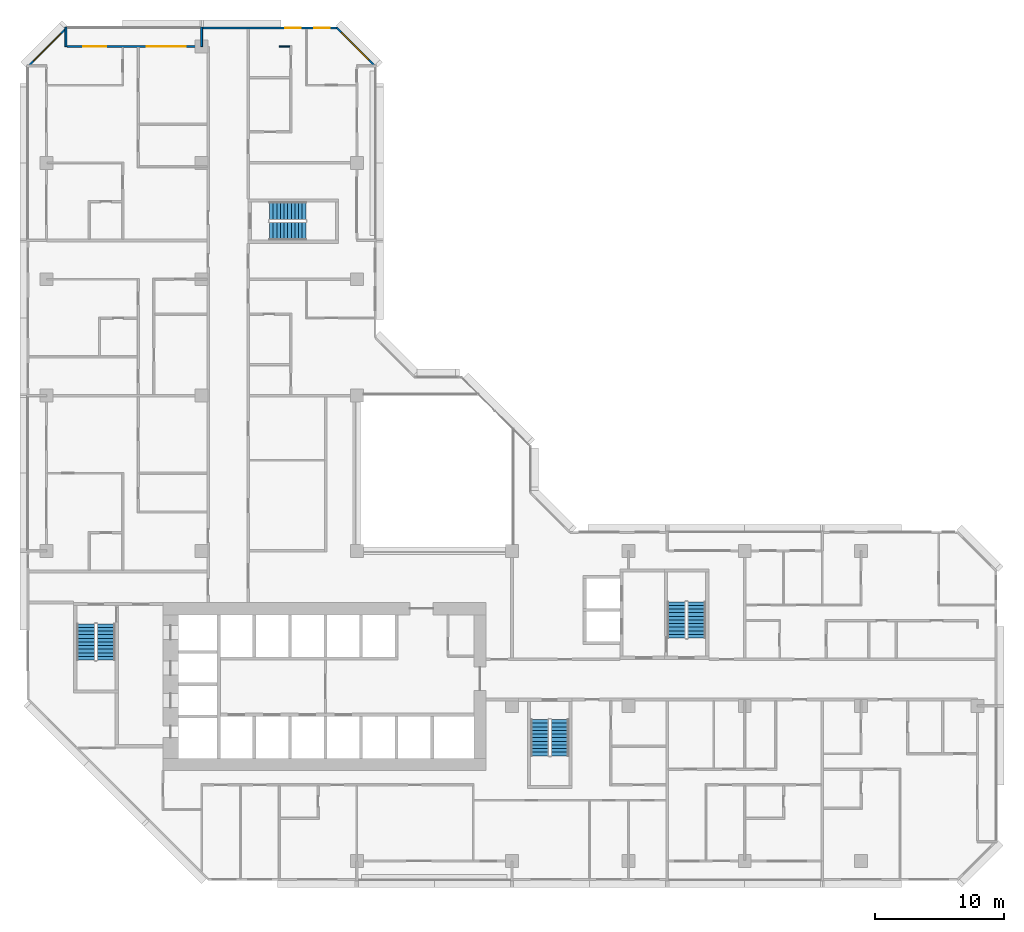
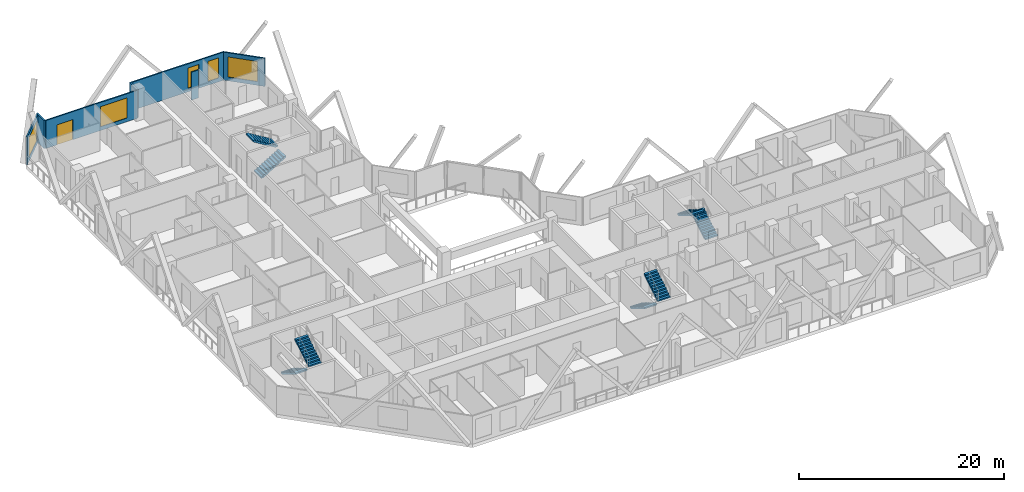
# One storey, part 13 of 15: 8 stair flights, 7 walls, 5 windows, 1 door, 6 openings, 4 elements without a shape of their own.
"""IFC4 building model written with IfcOpenShell, lengths in metres."""

from ifc_helpers import new_model, si_unit, direction, frame, frame_2d, origin, place, context, subcontext, project, spatial, polyline, rectangle, outline, extrude, material, layer, layer_set, type_object, element, fill, aggregate, save


model = new_model("IFC4")

# Units and contexts
model_context = context("Model", 3, precision=1e-05, world=origin(), true_north=direction((0.0, 1.0)))
body_context = subcontext(model_context, "Body", "Model", "MODEL_VIEW")
ifc_project = project(units=[si_unit("LENGTHUNIT", "METRE"), si_unit("AREAUNIT", "SQUARE_METRE"), si_unit("VOLUMEUNIT", "CUBIC_METRE"), si_unit("PLANEANGLEUNIT", "RADIAN"), si_unit("MASSUNIT", "GRAM", prefix="KILO")], contexts=[model_context])

# Site, building, storey
site_placement = place(None, origin())
site = spatial("IfcSite", under=ifc_project, at=site_placement, CompositionType="ELEMENT")
building_placement = place(site_placement, origin())
building = spatial("IfcBuilding", under=site, at=building_placement, Name="Chenar Terraces", CompositionType="ELEMENT")
storey_placement = place(building_placement, frame((0.0, 0.0, 106.89990234375)))
storey = spatial("IfcBuildingStorey", under=building, at=storey_placement, Name="L24", CompositionType="ELEMENT", Elevation=106.89990234375)

# Wall, openings, windows
ifc_material_1 = material(Name="Aluminium framed glazing", Category="aluminium")
ifc_layer_1 = layer(ifc_material_1, 0.14990234375)
ifc_layer_set_1 = layer_set([ifc_layer_1], Name="Aluminium framed glazing")
wall_type_1 = type_object("IfcWallType", Name="Glazed flush facade wall 150", PredefinedType="SOLIDWALL", material=ifc_layer_set_1)
wall_1_placement = place(storey_placement, frame((22.5, 64.425048828125, 0.0), z_axis=(0.0, 0.0, 1.0), x_axis=(-1.0, 0.0, 0.0)))
wall_1 = element("IfcWall", 1, at=wall_1_placement, inside=storey, type_object=wall_type_1, Name="Glazed flush facade wall", PredefinedType="SOLIDWALL", context=body_context, shape_type="SweptSolid", body=[
    extrude(rectangle(XDim=10.425048828125, YDim=0.14990234375, at=frame_2d((5.21240234375, 0.0))), origin(), (0.0, 0.0, 1.0), 3.35009765625),
])
opening_1_placement = place(wall_1_placement, frame((0.60009765625, 0.0, 0.449951171875)))
opening_1 = element("IfcOpeningElement", 2, at=opening_1_placement, cuts=wall_1, Name="Opening W120x240", PredefinedType="OPENING", context=body_context, shape_type="SweptSolid", body=[
    extrude(rectangle(XDim=1.199951171875, YDim=2.39990234375, at=frame_2d((0.60009765625, 1.199951171875))), frame((0.0, 0.0849609375, 0.0), z_axis=(0.0, -1.0, 0.0), x_axis=(1.0, 0.0, 0.0)), (0.0, 0.0, 1.0), 0.169921875),
])
opening_2_placement = place(wall_1_placement, frame((2.85009765625, 0.0, 0.449951171875)))
opening_2 = element("IfcOpeningElement", 3, at=opening_2_placement, cuts=wall_1, Name="Opening W120x240", PredefinedType="OPENING", context=body_context, shape_type="SweptSolid", body=[
    extrude(rectangle(XDim=1.199951171875, YDim=2.39990234375, at=frame_2d((0.60009765625, 1.199951171875))), frame((0.0, 0.0849609375, 0.0), z_axis=(0.0, -1.0, 0.0), x_axis=(1.0, 0.0, 0.0)), (0.0, 0.0, 1.0), 0.169921875),
])
ifc_material_2 = material(Name="Low emissivity double glazing, aluminium frame", Category="aluminium")
window_type_1 = type_object("IfcWindowType", Name="Fixed light 1200 x 2400", PartitioningType="SINGLE_PANEL", PredefinedType="WINDOW", material=ifc_material_2)
window_1_placement = place(opening_1_placement, origin())
window_1 = element("IfcWindow", 4, at=window_1_placement, inside=storey, type_object=window_type_1, Name="Window", OverallHeight=2.39990234375, OverallWidth=1.199951171875, PartitioningType="SINGLE_PANEL", PredefinedType="WINDOW", context=body_context, shape_type="SweptSolid", body=[
    extrude(rectangle(XDim=1.199951171875, YDim=2.39990234375, at=frame_2d((0.60009765625, 1.199951171875))), frame((0.0, 0.030029296875, 0.0), z_axis=(0.0, -1.0, 0.0), x_axis=(1.0, 0.0, 0.0)), (0.0, 0.0, 1.0), 0.06005859375),
])
fill(opening_1, window_1)
window_2_placement = place(opening_2_placement, origin())
window_2 = element("IfcWindow", 5, at=window_2_placement, inside=storey, type_object=window_type_1, Name="Window", OverallHeight=2.39990234375, OverallWidth=1.199951171875, PartitioningType="SINGLE_PANEL", PredefinedType="WINDOW", context=body_context, shape_type="SweptSolid", body=[
    extrude(rectangle(XDim=1.199951171875, YDim=2.39990234375, at=frame_2d((0.60009765625, 1.199951171875))), frame((0.0, 0.030029296875, 0.0), z_axis=(0.0, -1.0, 0.0), x_axis=(1.0, 0.0, 0.0)), (0.0, 0.0, 1.0), 0.06005859375),
])
fill(opening_2, window_2)

# Wall, openings, window, door
ifc_material_3 = material(Name="Aluminium framed glazing", Category="aluminium")
ifc_layer_2 = layer(ifc_material_3, 0.14990234375)
ifc_layer_set_2 = layer_set([ifc_layer_2], Name="Aluminium framed glazing")
wall_type_2 = type_object("IfcWallType", Name="Glazed loggia back wall 150", PredefinedType="SOLIDWALL", material=ifc_layer_set_2)
wall_2_placement = place(storey_placement, frame((11.925048828125, 63.0, 0.0), z_axis=(0.0, 0.0, 1.0), x_axis=(-1.0, 0.0, 0.0)))
wall_2 = element("IfcWall", 6, at=wall_2_placement, inside=storey, type_object=wall_type_2, Name="Glazed loggia back wall", PredefinedType="SOLIDWALL", context=body_context, shape_type="SweptSolid", body=[
    extrude(rectangle(XDim=10.35009765625, YDim=0.14990234375, at=frame_2d((5.175048828125, 0.0))), origin(), (0.0, 0.0, 1.0), 3.35009765625),
])
opening_3_placement = place(wall_2_placement, frame((1.175048828125, 0.0, 0.449951171875)))
opening_3 = element("IfcOpeningElement", 7, at=opening_3_placement, cuts=wall_2, Name="Opening W300x240", PredefinedType="OPENING", context=body_context, shape_type="SweptSolid", body=[
    extrude(rectangle(XDim=3.0, YDim=2.39990234375, at=frame_2d((1.5, 1.199951171875))), frame((0.0, 0.0849609375, 0.0), z_axis=(0.0, -1.0, 0.0), x_axis=(1.0, 0.0, 0.0)), (0.0, 0.0, 1.0), 0.169921875),
])
opening_4_placement = place(wall_2_placement, frame((7.28759765625, 0.0, 0.0)))
opening_4 = element("IfcOpeningElement", 8, at=opening_4_placement, cuts=wall_2, Name="Opening DL24-G3", PredefinedType="OPENING", context=body_context, shape_type="SweptSolid", body=[
    extrude(rectangle(XDim=1.800048828125, YDim=2.39990234375, at=frame_2d((0.89990234375, 1.199951171875))), frame((0.0, 0.0849609375, 0.0), z_axis=(0.0, -1.0, 0.0), x_axis=(1.0, 0.0, 0.0)), (0.0, 0.0, 1.0), 0.169921875),
])
ifc_material_4 = material(Name="Low emissivity double glazing, aluminium frame", Category="aluminium")
window_type_2 = type_object("IfcWindowType", Name="Fixed light 3000 x 2400", PartitioningType="SINGLE_PANEL", PredefinedType="WINDOW", material=ifc_material_4)
window_3_placement = place(opening_3_placement, origin())
window_3 = element("IfcWindow", 9, at=window_3_placement, inside=storey, type_object=window_type_2, Name="Window", OverallHeight=2.39990234375, OverallWidth=3.0, PartitioningType="SINGLE_PANEL", PredefinedType="WINDOW", context=body_context, shape_type="SweptSolid", body=[
    extrude(rectangle(XDim=3.0, YDim=2.39990234375, at=frame_2d((1.5, 1.199951171875))), frame((0.0, 0.030029296875, 0.0), z_axis=(0.0, -1.0, 0.0), x_axis=(1.0, 0.0, 0.0)), (0.0, 0.0, 1.0), 0.06005859375),
])
fill(opening_3, window_3)
ifc_material_5 = material(Name="Low emissivity double glazing, aluminium frame", Category="aluminium")
door_type = type_object("IfcDoorType", Name="Loggia glazed double door 1800 x 2400", OperationType="DOUBLE_DOOR_SINGLE_SWING", PredefinedType="DOOR", material=ifc_material_5)
door_placement = place(opening_4_placement, frame((1.800048828125, 0.0, 0.0), z_axis=(0.0, 0.0, 1.0), x_axis=(-1.0, 0.0, 0.0)))
door = element("IfcDoor", 10, at=door_placement, inside=storey, type_object=door_type, Name="Loggia glazed door", OperationType="DOUBLE_DOOR_SINGLE_SWING", OverallHeight=2.39990234375, OverallWidth=1.800048828125, PredefinedType="DOOR", context=body_context, shape_type="SweptSolid", body=[
    extrude(rectangle(XDim=1.800048828125, YDim=2.39990234375, at=frame_2d((0.89990234375, 1.199951171875))), frame((0.0, 0.02490234375, 0.0), z_axis=(0.0, -1.0, 0.0), x_axis=(1.0, 0.0, 0.0)), (0.0, 0.0, 1.0), 0.050048828125),
])
fill(opening_4, door)

# Walls
ifc_material_6 = material(Name="Gypsum board on steel studs", Category="steel")
ifc_layer_3 = layer(ifc_material_6, 0.10009765625)
ifc_layer_set_3 = layer_set([ifc_layer_3], Name="Gypsum board on steel studs")
wall_type_3 = type_object("IfcWallType", Name="Gypsum partition 100", PredefinedType="PARTITIONING", material=ifc_layer_set_3)
wall_3_placement = place(storey_placement, frame((18.0, 63.0, 0.0), z_axis=(0.0, 0.0, 1.0), x_axis=(1.0, 0.0, 0.0)))
element("IfcWall", 11, at=wall_3_placement, inside=storey, type_object=wall_type_3, Name="Partition L24-048", PredefinedType="PARTITIONING", context=body_context, shape_type="SweptSolid", body=[
    extrude(rectangle(XDim=0.824951171875, YDim=0.10009765625, at=frame_2d((0.41259765625, 0.0))), origin(), (0.0, 0.0, 1.0), 3.35009765625),
])
ifc_material_7 = material(Name="Terracotta cladding on insulated backing", Category="masonry")
ifc_layer_4 = layer(ifc_material_7, 0.14990234375)
ifc_layer_set_4 = layer_set([ifc_layer_4], Name="Terracotta cladding on insulated backing")
wall_type_4 = type_object("IfcWallType", Name="Loggia return wall 150", PredefinedType="SOLIDWALL", material=ifc_layer_set_4)
for number, where, z_axis, x_axis, name in (
    (12, (12.0, 64.5, 0.0), (0.0, 0.0, 1.0), (0.0, -1.0, 0.0), "Loggia return wall"),
    (13, (1.5, 64.5, 0.0), (0.0, 0.0, 1.0), (0.0, -1.0, 0.0), "Loggia return wall"),
):
    element("IfcWall", number, at=place(storey_placement, frame(where, z_axis=z_axis, x_axis=x_axis)), inside=storey, type_object=wall_type_4, Name=name, PredefinedType="SOLIDWALL", context=body_context, shape_type="SweptSolid", body=[
        extrude(rectangle(XDim=1.5, YDim=0.14990234375, at=frame_2d((0.75, 0.0))), origin(), (0.0, 0.0, 1.0), 3.35009765625),
    ])

# Wall, opening, window
ifc_material_8 = material(Name="Terracotta cladding on insulated backing", Category="masonry")
ifc_layer_5 = layer(ifc_material_8, 0.14990234375)
ifc_layer_set_5 = layer_set([ifc_layer_5], Name="Terracotta cladding on insulated backing")
wall_type_5 = type_object("IfcWallType", Name="Terracotta rainscreen wall 150", PredefinedType="SOLIDWALL", material=ifc_layer_set_5)
wall_4_placement = place(storey_placement, frame((25.447021484375, 61.447021484375, 0.0), z_axis=(0.0, 0.0, 1.0), x_axis=(-0.707106781187, 0.707106781187, 0.0)))
wall_4 = element("IfcWall", 14, at=wall_4_placement, inside=storey, type_object=wall_type_5, Name="Terracotta rainscreen wall", PredefinedType="SOLIDWALL", context=body_context, shape_type="SweptSolid", body=[
    extrude(rectangle(XDim=4.24267578125, YDim=0.14990234375, at=frame_2d((2.121337890625, 0.0))), origin(), (0.0, 0.0, 1.0), 3.35009765625),
])
opening_5_placement = place(wall_4_placement, frame((0.744384765625, 0.0, 0.449951171875)))
opening_5 = element("IfcOpeningElement", 15, at=opening_5_placement, cuts=wall_4, Name="Opening W300x240", PredefinedType="OPENING", context=body_context, shape_type="SweptSolid", body=[
    extrude(rectangle(XDim=3.0, YDim=2.39990234375, at=frame_2d((1.5, 1.199951171875))), frame((0.0, 0.0849609375, 0.0), z_axis=(0.0, -1.0, 0.0), x_axis=(1.0, 0.0, 0.0)), (0.0, 0.0, 1.0), 0.169921875),
])
window_4_placement = place(opening_5_placement, origin())
window_4 = element("IfcWindow", 16, at=window_4_placement, inside=storey, type_object=window_type_2, Name="Window", OverallHeight=2.39990234375, OverallWidth=3.0, PartitioningType="SINGLE_PANEL", PredefinedType="WINDOW", context=body_context, shape_type="SweptSolid", body=[
    extrude(rectangle(XDim=3.0, YDim=2.39990234375, at=frame_2d((1.5, 1.199951171875))), frame((0.0, 0.030029296875, 0.0), z_axis=(0.0, -1.0, 0.0), x_axis=(1.0, 0.0, 0.0)), (0.0, 0.0, 1.0), 0.06005859375),
])
fill(opening_5, window_4)

wall_5_placement = place(storey_placement, frame((1.552978515625, 64.447021484375, 0.0), z_axis=(0.0, 0.0, 1.0), x_axis=(-0.707106781187, -0.707106781187, 0.0)))
wall_5 = element("IfcWall", 17, at=wall_5_placement, inside=storey, type_object=wall_type_5, Name="Terracotta rainscreen wall", PredefinedType="SOLIDWALL", context=body_context, shape_type="SweptSolid", body=[
    extrude(rectangle(XDim=4.24267578125, YDim=0.14990234375, at=frame_2d((2.121337890625, 0.0))), origin(), (0.0, 0.0, 1.0), 3.35009765625),
])
opening_6_placement = place(wall_5_placement, frame((0.621337890625, 0.0, 0.449951171875)))
opening_6 = element("IfcOpeningElement", 18, at=opening_6_placement, cuts=wall_5, Name="Opening W300x240", PredefinedType="OPENING", context=body_context, shape_type="SweptSolid", body=[
    extrude(rectangle(XDim=3.0, YDim=2.39990234375, at=frame_2d((1.5, 1.199951171875))), frame((0.0, 0.0849609375, 0.0), z_axis=(0.0, -1.0, 0.0), x_axis=(1.0, 0.0, 0.0)), (0.0, 0.0, 1.0), 0.169921875),
])
window_5_placement = place(opening_6_placement, origin())
window_5 = element("IfcWindow", 19, at=window_5_placement, inside=storey, type_object=window_type_2, Name="Window", OverallHeight=2.39990234375, OverallWidth=3.0, PartitioningType="SINGLE_PANEL", PredefinedType="WINDOW", context=body_context, shape_type="SweptSolid", body=[
    extrude(rectangle(XDim=3.0, YDim=2.39990234375, at=frame_2d((1.5, 1.199951171875))), frame((0.0, 0.030029296875, 0.0), z_axis=(0.0, -1.0, 0.0), x_axis=(1.0, 0.0, 0.0)), (0.0, 0.0, 1.0), 0.06005859375),
])
fill(opening_6, window_5)

# Stair, stair flights
ifc_material_9 = material(Name="Reinforced concrete C40/50", Category="concrete")
stair_type = type_object("IfcStairType", Name="Core stair 1400 half-turn", PredefinedType="HALF_TURN_STAIR", material=ifc_material_9)
placement = place(storey_placement, origin())
stair_1 = element("IfcStair", 20, at=placement, inside=storey, type_object=stair_type, Name="L24 Stair 1", PredefinedType="HALF_TURN_STAIR")
ifc_material_10 = material(Name="Reinforced concrete C40/50", Category="concrete")
stair_flight_type = type_object("IfcStairFlightType", Name="Core stair flight 1400", PredefinedType="STRAIGHT", material=ifc_material_10)
stair_flight_1_placement = place(storey_placement, frame((3.050048828125, 18.35009765625, 0.0), z_axis=(0.0, 0.0, 1.0), x_axis=(0.0, -1.0, 0.0)))
stair_flight_1 = element("IfcStairFlight", 21, at=stair_flight_1_placement, type_object=stair_flight_type, Name="ST1 flight 1", NumberOfRisers=11, NumberOfTreads=10, PredefinedType="STRAIGHT", RiserHeight=0.170454545, TreadLength=0.28, context=body_context, shape_type="SweptSolid", body=[
    extrude(outline(polyline([(-0.0029296875, 0.0), (-0.0029296875, 0.17041015625), (0.0, 0.17041015625), (0.280029296875, 0.17041015625), (0.280029296875, 0.3408203125), (0.56005859375, 0.3408203125), (0.56005859375, 0.511474609375), (0.840087890625, 0.511474609375), (0.840087890625, 0.681884765625), (1.1201171875, 0.681884765625), (1.1201171875, 0.852294921875), (1.39990234375, 0.852294921875), (1.39990234375, 1.022705078125), (1.679931640625, 1.022705078125), (1.679931640625, 1.193115234375), (1.9599609375, 1.193115234375), (1.9599609375, 1.363525390625), (2.239990234375, 1.363525390625), (2.239990234375, 1.5341796875), (2.52001953125, 1.5341796875), (2.52001953125, 1.70458984375), (2.800048828125, 1.70458984375), (2.802978515625, 1.70458984375), (2.802978515625, 1.529052734375), (2.800048828125, 1.529052734375), (0.288330078125, 0.0), (-0.0029296875, 0.0)])), frame((0.0, 0.699951171875, 0.0), z_axis=(0.0, -1.0, 0.0), x_axis=(1.0, 0.0, 0.0)), (0.0, 0.0, 1.0), 1.39990234375),
])
stair_flight_2_placement = place(storey_placement, frame((4.60009765625, 15.550048828125, 1.875), z_axis=(0.0, 0.0, 1.0), x_axis=(0.0, 1.0, 0.0)))
stair_flight_2 = element("IfcStairFlight", 22, at=stair_flight_2_placement, type_object=stair_flight_type, Name="ST1 flight 2", NumberOfRisers=11, NumberOfTreads=10, PredefinedType="STRAIGHT", RiserHeight=0.170454545, TreadLength=0.28, context=body_context, shape_type="SweptSolid", body=[
    extrude(outline(polyline([(-0.0029296875, 0.0), (-0.0029296875, 0.17041015625), (0.0, 0.17041015625), (0.280029296875, 0.17041015625), (0.280029296875, 0.3408203125), (0.56005859375, 0.3408203125), (0.56005859375, 0.511474609375), (0.840087890625, 0.511474609375), (0.840087890625, 0.681884765625), (1.1201171875, 0.681884765625), (1.1201171875, 0.852294921875), (1.39990234375, 0.852294921875), (1.39990234375, 1.022705078125), (1.679931640625, 1.022705078125), (1.679931640625, 1.193115234375), (1.9599609375, 1.193115234375), (1.9599609375, 1.363525390625), (2.239990234375, 1.363525390625), (2.239990234375, 1.5341796875), (2.52001953125, 1.5341796875), (2.52001953125, 1.70458984375), (2.800048828125, 1.70458984375), (2.802978515625, 1.70458984375), (2.802978515625, 1.529052734375), (2.800048828125, 1.529052734375), (0.288330078125, 0.0), (-0.0029296875, 0.0)])), frame((0.0, 0.699951171875, 0.0), z_axis=(0.0, -1.0, 0.0), x_axis=(1.0, 0.0, 0.0)), (0.0, 0.0, 1.0), 1.39990234375),
])
aggregate(stair_1, [stair_flight_1, stair_flight_2])

stair_2 = element("IfcStair", 23, at=placement, inside=storey, type_object=stair_type, Name="L24 Stair 2", PredefinedType="HALF_TURN_STAIR")
stair_flight_3_placement = place(storey_placement, frame((38.14990234375, 10.949951171875, 0.0), z_axis=(0.0, 0.0, 1.0), x_axis=(0.0, -1.0, 0.0)))
stair_flight_3 = element("IfcStairFlight", 24, at=stair_flight_3_placement, type_object=stair_flight_type, Name="ST2 flight 1", NumberOfRisers=11, NumberOfTreads=10, PredefinedType="STRAIGHT", RiserHeight=0.170454545, TreadLength=0.28, context=body_context, shape_type="SweptSolid", body=[
    extrude(outline(polyline([(-0.0029296875, 0.0), (-0.0029296875, 0.17041015625), (0.0, 0.17041015625), (0.280029296875, 0.17041015625), (0.280029296875, 0.3408203125), (0.56005859375, 0.3408203125), (0.56005859375, 0.511474609375), (0.840087890625, 0.511474609375), (0.840087890625, 0.681884765625), (1.1201171875, 0.681884765625), (1.1201171875, 0.852294921875), (1.39990234375, 0.852294921875), (1.39990234375, 1.022705078125), (1.679931640625, 1.022705078125), (1.679931640625, 1.193115234375), (1.9599609375, 1.193115234375), (1.9599609375, 1.363525390625), (2.239990234375, 1.363525390625), (2.239990234375, 1.5341796875), (2.52001953125, 1.5341796875), (2.52001953125, 1.70458984375), (2.800048828125, 1.70458984375), (2.802978515625, 1.70458984375), (2.802978515625, 1.529052734375), (2.800048828125, 1.529052734375), (0.288330078125, 0.0), (-0.0029296875, 0.0)])), frame((0.0, 0.699951171875, 0.0), z_axis=(0.0, -1.0, 0.0), x_axis=(1.0, 0.0, 0.0)), (0.0, 0.0, 1.0), 1.39990234375),
])
stair_flight_4_placement = place(storey_placement, frame((39.699951171875, 8.14990234375, 1.875), z_axis=(0.0, 0.0, 1.0), x_axis=(0.0, 1.0, 0.0)))
stair_flight_4 = element("IfcStairFlight", 25, at=stair_flight_4_placement, type_object=stair_flight_type, Name="ST2 flight 2", NumberOfRisers=11, NumberOfTreads=10, PredefinedType="STRAIGHT", RiserHeight=0.170454545, TreadLength=0.28, context=body_context, shape_type="SweptSolid", body=[
    extrude(outline(polyline([(-0.0029296875, 0.0), (-0.0029296875, 0.17041015625), (0.0, 0.17041015625), (0.280029296875, 0.17041015625), (0.280029296875, 0.3408203125), (0.56005859375, 0.3408203125), (0.56005859375, 0.511474609375), (0.840087890625, 0.511474609375), (0.840087890625, 0.681884765625), (1.1201171875, 0.681884765625), (1.1201171875, 0.852294921875), (1.39990234375, 0.852294921875), (1.39990234375, 1.022705078125), (1.679931640625, 1.022705078125), (1.679931640625, 1.193115234375), (1.9599609375, 1.193115234375), (1.9599609375, 1.363525390625), (2.239990234375, 1.363525390625), (2.239990234375, 1.5341796875), (2.52001953125, 1.5341796875), (2.52001953125, 1.70458984375), (2.800048828125, 1.70458984375), (2.802978515625, 1.70458984375), (2.802978515625, 1.529052734375), (2.800048828125, 1.529052734375), (0.288330078125, 0.0), (-0.0029296875, 0.0)])), frame((0.0, 0.699951171875, 0.0), z_axis=(0.0, -1.0, 0.0), x_axis=(1.0, 0.0, 0.0)), (0.0, 0.0, 1.0), 1.39990234375),
])
aggregate(stair_2, [stair_flight_3, stair_flight_4])

stair_3 = element("IfcStair", 26, at=placement, inside=storey, type_object=stair_type, Name="L24 Stair 3", PredefinedType="HALF_TURN_STAIR")
stair_flight_5_placement = place(storey_placement, frame((50.27490234375, 17.25, 0.0), z_axis=(0.0, 0.0, 1.0), x_axis=(0.0, 1.0, 0.0)))
stair_flight_5 = element("IfcStairFlight", 27, at=stair_flight_5_placement, type_object=stair_flight_type, Name="ST3 flight 1", NumberOfRisers=11, NumberOfTreads=10, PredefinedType="STRAIGHT", RiserHeight=0.170454545, TreadLength=0.28, context=body_context, shape_type="SweptSolid", body=[
    extrude(outline(polyline([(-0.0029296875, 0.0), (-0.0029296875, 0.17041015625), (0.0, 0.17041015625), (0.280029296875, 0.17041015625), (0.280029296875, 0.3408203125), (0.56005859375, 0.3408203125), (0.56005859375, 0.511474609375), (0.840087890625, 0.511474609375), (0.840087890625, 0.681884765625), (1.1201171875, 0.681884765625), (1.1201171875, 0.852294921875), (1.39990234375, 0.852294921875), (1.39990234375, 1.022705078125), (1.679931640625, 1.022705078125), (1.679931640625, 1.193115234375), (1.9599609375, 1.193115234375), (1.9599609375, 1.363525390625), (2.239990234375, 1.363525390625), (2.239990234375, 1.5341796875), (2.52001953125, 1.5341796875), (2.52001953125, 1.70458984375), (2.800048828125, 1.70458984375), (2.802978515625, 1.70458984375), (2.802978515625, 1.529052734375), (2.800048828125, 1.529052734375), (0.288330078125, 0.0), (-0.0029296875, 0.0)])), frame((0.0, 0.699951171875, 0.0), z_axis=(0.0, -1.0, 0.0), x_axis=(1.0, 0.0, 0.0)), (0.0, 0.0, 1.0), 1.39990234375),
])
stair_flight_6_placement = place(storey_placement, frame((48.72509765625, 20.050048828125, 1.875), z_axis=(0.0, 0.0, 1.0), x_axis=(0.0, -1.0, 0.0)))
stair_flight_6 = element("IfcStairFlight", 28, at=stair_flight_6_placement, type_object=stair_flight_type, Name="ST3 flight 2", NumberOfRisers=11, NumberOfTreads=10, PredefinedType="STRAIGHT", RiserHeight=0.170454545, TreadLength=0.28, context=body_context, shape_type="SweptSolid", body=[
    extrude(outline(polyline([(-0.0029296875, 0.0), (-0.0029296875, 0.17041015625), (0.0, 0.17041015625), (0.280029296875, 0.17041015625), (0.280029296875, 0.3408203125), (0.56005859375, 0.3408203125), (0.56005859375, 0.511474609375), (0.840087890625, 0.511474609375), (0.840087890625, 0.681884765625), (1.1201171875, 0.681884765625), (1.1201171875, 0.852294921875), (1.39990234375, 0.852294921875), (1.39990234375, 1.022705078125), (1.679931640625, 1.022705078125), (1.679931640625, 1.193115234375), (1.9599609375, 1.193115234375), (1.9599609375, 1.363525390625), (2.239990234375, 1.363525390625), (2.239990234375, 1.5341796875), (2.52001953125, 1.5341796875), (2.52001953125, 1.70458984375), (2.800048828125, 1.70458984375), (2.802978515625, 1.70458984375), (2.802978515625, 1.529052734375), (2.800048828125, 1.529052734375), (0.288330078125, 0.0), (-0.0029296875, 0.0)])), frame((0.0, 0.699951171875, 0.0), z_axis=(0.0, -1.0, 0.0), x_axis=(1.0, 0.0, 0.0)), (0.0, 0.0, 1.0), 1.39990234375),
])
aggregate(stair_3, [stair_flight_5, stair_flight_6])

stair_4 = element("IfcStair", 29, at=placement, inside=storey, type_object=stair_type, Name="L24 Stair 4", PredefinedType="HALF_TURN_STAIR")
stair_flight_7_placement = place(storey_placement, frame((17.25, 48.72509765625, 0.0), z_axis=(0.0, 0.0, 1.0), x_axis=(1.0, 0.0, 0.0)))
stair_flight_7 = element("IfcStairFlight", 30, at=stair_flight_7_placement, type_object=stair_flight_type, Name="ST4 flight 1", NumberOfRisers=11, NumberOfTreads=10, PredefinedType="STRAIGHT", RiserHeight=0.170454545, TreadLength=0.28, context=body_context, shape_type="SweptSolid", body=[
    extrude(outline(polyline([(-0.0029296875, 0.0), (-0.0029296875, 0.17041015625), (0.0, 0.17041015625), (0.280029296875, 0.17041015625), (0.280029296875, 0.3408203125), (0.56005859375, 0.3408203125), (0.56005859375, 0.511474609375), (0.840087890625, 0.511474609375), (0.840087890625, 0.681884765625), (1.1201171875, 0.681884765625), (1.1201171875, 0.852294921875), (1.39990234375, 0.852294921875), (1.39990234375, 1.022705078125), (1.679931640625, 1.022705078125), (1.679931640625, 1.193115234375), (1.9599609375, 1.193115234375), (1.9599609375, 1.363525390625), (2.239990234375, 1.363525390625), (2.239990234375, 1.5341796875), (2.52001953125, 1.5341796875), (2.52001953125, 1.70458984375), (2.800048828125, 1.70458984375), (2.802978515625, 1.70458984375), (2.802978515625, 1.529052734375), (2.800048828125, 1.529052734375), (0.288330078125, 0.0), (-0.0029296875, 0.0)])), frame((0.0, 0.699951171875, 0.0), z_axis=(0.0, -1.0, 0.0), x_axis=(1.0, 0.0, 0.0)), (0.0, 0.0, 1.0), 1.39990234375),
])
stair_flight_8_placement = place(storey_placement, frame((20.050048828125, 50.27490234375, 1.875), z_axis=(0.0, 0.0, 1.0), x_axis=(-1.0, 0.0, 0.0)))
stair_flight_8 = element("IfcStairFlight", 31, at=stair_flight_8_placement, type_object=stair_flight_type, Name="ST4 flight 2", NumberOfRisers=11, NumberOfTreads=10, PredefinedType="STRAIGHT", RiserHeight=0.170454545, TreadLength=0.28, context=body_context, shape_type="SweptSolid", body=[
    extrude(outline(polyline([(-0.0029296875, 0.0), (-0.0029296875, 0.17041015625), (0.0, 0.17041015625), (0.280029296875, 0.17041015625), (0.280029296875, 0.3408203125), (0.56005859375, 0.3408203125), (0.56005859375, 0.511474609375), (0.840087890625, 0.511474609375), (0.840087890625, 0.681884765625), (1.1201171875, 0.681884765625), (1.1201171875, 0.852294921875), (1.39990234375, 0.852294921875), (1.39990234375, 1.022705078125), (1.679931640625, 1.022705078125), (1.679931640625, 1.193115234375), (1.9599609375, 1.193115234375), (1.9599609375, 1.363525390625), (2.239990234375, 1.363525390625), (2.239990234375, 1.5341796875), (2.52001953125, 1.5341796875), (2.52001953125, 1.70458984375), (2.800048828125, 1.70458984375), (2.802978515625, 1.70458984375), (2.802978515625, 1.529052734375), (2.800048828125, 1.529052734375), (0.288330078125, 0.0), (-0.0029296875, 0.0)])), frame((0.0, 0.699951171875, 0.0), z_axis=(0.0, -1.0, 0.0), x_axis=(1.0, 0.0, 0.0)), (0.0, 0.0, 1.0), 1.39990234375),
])
aggregate(stair_4, [stair_flight_7, stair_flight_8])

save(model, "model.ifc")
